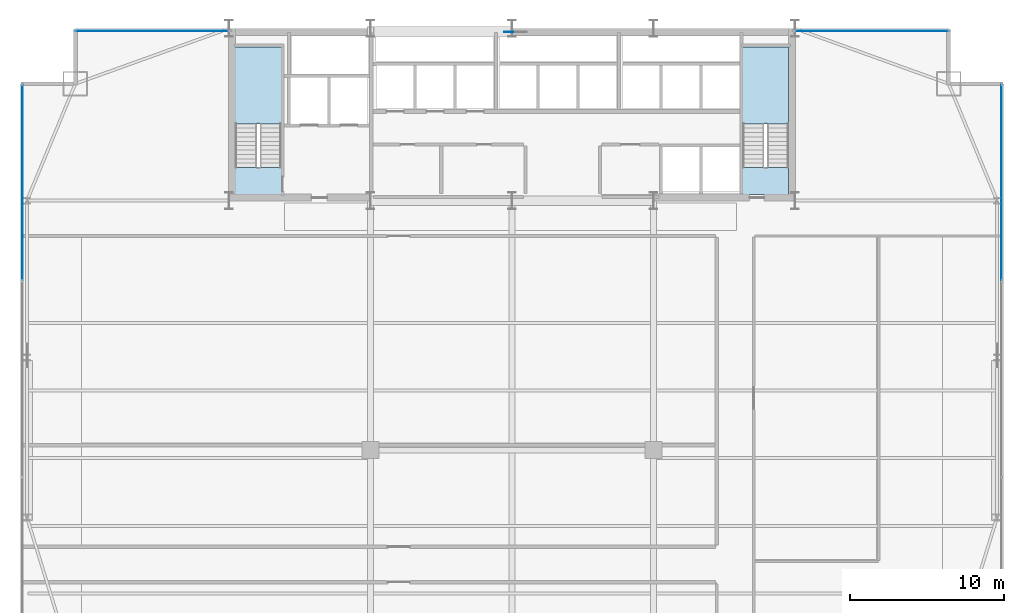
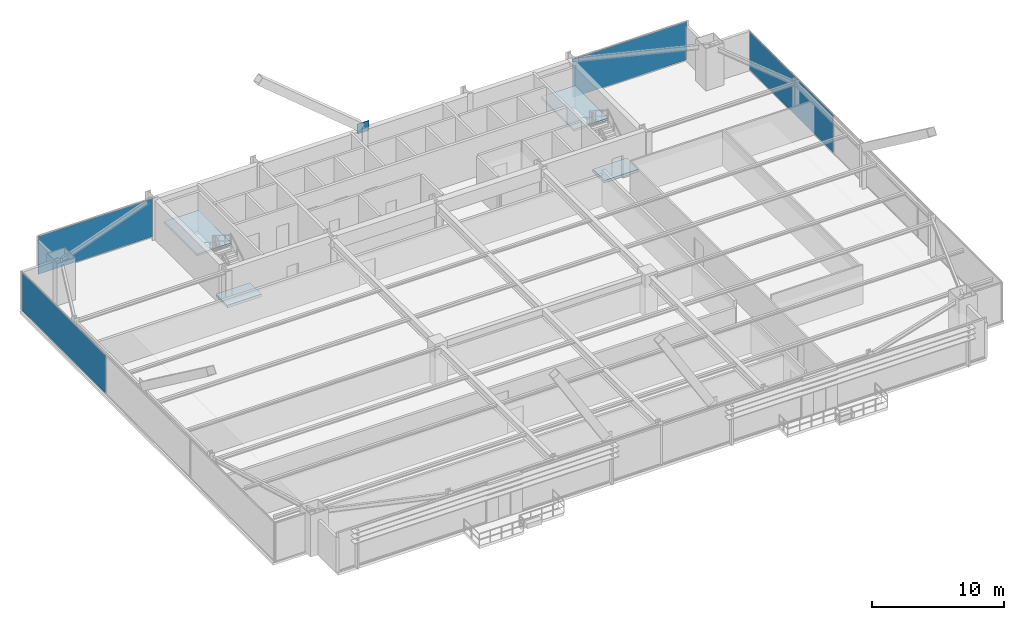
# One storey, part 27 of 34: 5 plates, 4 slabs, 6 elements without a shape of their own.
"""IFC4 building model written with IfcOpenShell, lengths in metres."""

from ifc_helpers import new_model, si_unit, direction, frame, origin, origin_2d, place, context, subcontext, project, spatial, polyline, rectangle, outline, extrude, source, transform, mapped, material, layer, layer_set, type_object, type_shapes, element, aggregate, save


model = new_model("IFC4")

# Units and contexts
model_context = context("Model", 3, precision=1e-05, world=origin(), true_north=direction((0.0, 1.0)))
body_context = subcontext(model_context, "Body", "Model", "MODEL_VIEW")
ifc_project = project(units=[si_unit("LENGTHUNIT", "METRE"), si_unit("AREAUNIT", "SQUARE_METRE"), si_unit("VOLUMEUNIT", "CUBIC_METRE"), si_unit("PLANEANGLEUNIT", "RADIAN"), si_unit("MASSUNIT", "GRAM", prefix="KILO")], contexts=[model_context])

# Site, building, storey
site_placement = place(None, origin())
site = spatial("IfcSite", under=ifc_project, at=site_placement, CompositionType="ELEMENT")
building_placement = place(site_placement, origin())
building = spatial("IfcBuilding", under=site, at=building_placement, Name="Varnel Quay Broadcast Tower", CompositionType="ELEMENT")
storey_placement = place(building_placement, frame((0.0, 0.0, 47.10009765625)))
storey = spatial("IfcBuildingStorey", under=building, at=storey_placement, Name="L10", CompositionType="ELEMENT", Elevation=47.10009765625)

# Slabs
ifc_material_1 = material(Name="Concrete CSA A23.3 C50/60", Category="concrete")
ifc_layer_1 = layer(ifc_material_1, 0.25, Name="Concrete CSA A23.3 C50/60")
ifc_layer_set_1 = layer_set([ifc_layer_1], Name="Concrete CSA A23.3 C50/60")
slab_type_1 = type_object("IfcSlabType", Name="Slab_StairFloorLanding250", PredefinedType="FLOOR", material=ifc_layer_set_1)
slab_1_placement = place(storey_placement, frame((0.0, 0.0, -0.25)))
element("IfcSlab", 1, at=slab_1_placement, inside=storey, type_object=slab_type_1, Name="L10 ST-01 Structural Floor Landing Slab", PredefinedType="FLOOR", context=body_context, shape_type="SweptSolid", body=[
    extrude(outline(polyline([(19.0, 36.0), (19.0, 37.75), (16.0, 37.75), (16.0, 36.0), (19.0, 36.0)])), origin(), (0.0, 0.0, 1.0), 0.25),
])
slab_2_placement = place(storey_placement, frame((0.0, 0.0, -0.25)))
element("IfcSlab", 2, at=slab_2_placement, inside=storey, type_object=slab_type_1, Name="L10 ST-02 Structural Floor Landing Slab", PredefinedType="FLOOR", context=body_context, shape_type="SweptSolid", body=[
    extrude(outline(polyline([(52.0, 36.0), (52.0, 37.75), (49.0, 37.75), (49.0, 36.0), (52.0, 36.0)])), origin(), (0.0, 0.0, 1.0), 0.25),
])

# Stair, slab
ifc_material_2 = material(Name="Precast Structural Concrete C40/50", Category="concrete")
stair_type_1 = type_object("IfcStairType", Name="Stair_ST-01", PredefinedType="HALF_TURN_STAIR", material=ifc_material_2)
stair_1_placement = place(storey_placement, origin())
stair_1 = element("IfcStair", 3, at=stair_1_placement, inside=storey, type_object=stair_type_1, Name="L10 West Core Exit Stair 1", PredefinedType="HALF_TURN_STAIR")
ifc_layer_2 = layer(ifc_material_2, 0.199951171875, Name="Precast Structural Concrete C40/50")
ifc_layer_set_2 = layer_set([ifc_layer_2], Name="Precast Structural Concrete C40/50")
slab_type_2 = type_object("IfcSlabType", Name="Slab_StairLanding200", PredefinedType="LANDING", material=ifc_layer_set_2)
slab_3_placement = place(storey_placement, frame((0.0, 0.0, 1.75)))
slab_3 = element("IfcSlab", 4, at=slab_3_placement, type_object=slab_type_2, Name="ST-01 landing 1", PredefinedType="LANDING", context=body_context, shape_type="SweptSolid", body=[
    extrude(outline(polyline([(19.0, 40.60009765625), (19.0, 45.60009765625), (16.0, 45.60009765625), (16.0, 40.60009765625), (19.0, 40.60009765625)])), origin(), (0.0, 0.0, 1.0), 0.199951171875),
])
aggregate(stair_1, [slab_3])

stair_type_2 = type_object("IfcStairType", Name="Stair_ST-02", PredefinedType="HALF_TURN_STAIR", material=ifc_material_2)
stair_2_placement = place(storey_placement, origin())
stair_2 = element("IfcStair", 5, at=stair_2_placement, inside=storey, type_object=stair_type_2, Name="L10 East Core Exit Stair 2", PredefinedType="HALF_TURN_STAIR")
slab_4_placement = place(storey_placement, frame((0.0, 0.0, 1.75)))
slab_4 = element("IfcSlab", 6, at=slab_4_placement, type_object=slab_type_2, Name="ST-02 landing 1", PredefinedType="LANDING", context=body_context, shape_type="SweptSolid", body=[
    extrude(outline(polyline([(52.0, 40.60009765625), (52.0, 45.60009765625), (49.0, 45.60009765625), (49.0, 40.60009765625), (52.0, 40.60009765625)])), origin(), (0.0, 0.0, 1.0), 0.199951171875),
])
aggregate(stair_2, [slab_4])

# Plate
ifc_material_3 = material(Name="Structural Steel CSA G40.21 350WT", Category="steel")
ifc_layer_3 = layer(ifc_material_3, 0.0400390625, Name="Structural Steel CSA G40.21 350WT")
ifc_layer_set_3 = layer_set([ifc_layer_3], Name="Structural Steel CSA G40.21 350WT")
plate_type_1 = type_object("IfcPlateType", Name="Plate_MegaGusset", PredefinedType="USERDEFINED", material=ifc_layer_set_3)
shared_shape_1 = source(origin(), body_context, "Body", "SweptSolid", [
    extrude(rectangle(XDim=1.02587890625, YDim=0.0400390625, at=origin_2d()), origin(), (0.0, 0.0, 1.0), 0.927001953125),
])
type_shapes(plate_type_1, [shared_shape_1])
plate_1_placement = place(storey_placement, frame((34.0, 46.580078125, 3.3115234375), z_axis=(0.0, 0.0, 1.0), x_axis=(1.0, 0.0, 0.0)))
element("IfcPlate", 7, at=plate_1_placement, inside=storey, type_object=plate_type_1, Name="Zone 1 Mega-Brace N-CT2 Central X-Crossing Gusset Plate", ObjectType="GUSSET_PLATE", PredefinedType="USERDEFINED", context=body_context, shape_type="MappedRepresentation", body=[
    mapped(shared_shape_1, transform((0.0, 0.0, 0.0), x_axis=(1.0, 0.0, 0.0), y_axis=(0.0, 1.0, 0.0), z_axis=(0.0, 0.0, 1.0), scale=1.0)),
])

# Curtain wall, plate
ifc_material_4 = material(Name="Anodised Bronze Aluminium 6063-T6", Category="aluminium")
ifc_layer_4 = layer(ifc_material_4, 0.18994140625, Name="Anodised Bronze Aluminium 6063-T6")
ifc_layer_set_4 = layer_set([ifc_layer_4], Name="Anodised Bronze Aluminium 6063-T6")
curtain_wall_type = type_object("IfcCurtainWallType", Name="CW_LowerTower", PredefinedType="NOTDEFINED", material=ifc_layer_set_4)
curtain_wall_1_placement = place(storey_placement, origin())
curtain_wall_1 = element("IfcCurtainWall", 8, at=curtain_wall_1_placement, inside=storey, type_object=curtain_wall_type, Name="L10 West Unitised Curtain Wall", PredefinedType="NOTDEFINED")
ifc_material_5 = material(Name="Insulated Bronze Spandrel Glass", Category="glass")
ifc_layer_5 = layer(ifc_material_5, 0.031982421875, Name="Insulated Bronze Spandrel Glass")
ifc_layer_set_5 = layer_set([ifc_layer_5], Name="Insulated Bronze Spandrel Glass")
plate_type_2 = type_object("IfcPlateType", Name="PanelSp_CWS-02", PredefinedType="CURTAIN_PANEL", material=ifc_layer_set_5)
shared_shape_2 = source(origin(), body_context, "Body", "SweptSolid", [
    extrude(rectangle(XDim=12.695068359375, YDim=0.031982421875, at=origin_2d()), origin(), (0.0, 0.0, 1.0), 3.530029296875),
])
type_shapes(plate_type_2, [shared_shape_2])
plate_2_placement = place(storey_placement, frame((2.14990234375, 36.782470703125, 0.06005859375), z_axis=(0.0, 0.0, 1.0), x_axis=(0.0, 1.0, 0.0)))
plate_2 = element("IfcPlate", 9, at=plate_2_placement, type_object=plate_type_2, Name="CWS-02 panel 3.1", PredefinedType="CURTAIN_PANEL", context=body_context, shape_type="MappedRepresentation", body=[
    mapped(shared_shape_2, transform((0.0, 0.0, 0.0), x_axis=(1.0, 0.0, 0.0), y_axis=(0.0, 1.0, 0.0), z_axis=(0.0, 0.0, 1.0), scale=1.0)),
])
aggregate(curtain_wall_1, [plate_2])

curtain_wall_2_placement = place(storey_placement, origin())
curtain_wall_2 = element("IfcCurtainWall", 10, at=curtain_wall_2_placement, inside=storey, type_object=curtain_wall_type, Name="L10 East Unitised Curtain Wall", PredefinedType="NOTDEFINED")
plate_3_placement = place(storey_placement, frame((65.85009765625, 36.782470703125, 0.06005859375), z_axis=(0.0, 0.0, 1.0), x_axis=(0.0, 1.0, 0.0)))
plate_3 = element("IfcPlate", 11, at=plate_3_placement, type_object=plate_type_2, Name="CWS-02 panel 3.1", PredefinedType="CURTAIN_PANEL", context=body_context, shape_type="MappedRepresentation", body=[
    mapped(shared_shape_2, transform((0.0, 0.0, 0.0), x_axis=(1.0, 0.0, 0.0), y_axis=(0.0, 1.0, 0.0), z_axis=(0.0, 0.0, 1.0), scale=1.0)),
])
aggregate(curtain_wall_2, [plate_3])

curtain_wall_3_placement = place(storey_placement, origin())
curtain_wall_3 = element("IfcCurtainWall", 12, at=curtain_wall_3_placement, inside=storey, type_object=curtain_wall_type, Name="L10 NW Wing Curtain Wall", PredefinedType="NOTDEFINED")
ifc_material_6 = material(Name="Triple-Glazed Bronze Low-E Architectural Glass", Category="glass")
ifc_layer_6 = layer(ifc_material_6, 0.031982421875, Name="Triple-Glazed Bronze Low-E Architectural Glass")
ifc_layer_set_6 = layer_set([ifc_layer_6], Name="Triple-Glazed Bronze Low-E Architectural Glass")
plate_type_3 = type_object("IfcPlateType", Name="Panel_CWS-02", PredefinedType="CURTAIN_PANEL", material=ifc_layer_set_6)
shared_shape_3 = source(origin(), body_context, "Body", "SweptSolid", [
    extrude(rectangle(XDim=10.0400390625, YDim=0.031982421875, at=origin_2d()), origin(), (0.0, 0.0, 1.0), 3.530029296875),
])
type_shapes(plate_type_3, [shared_shape_3])
plate_4_placement = place(storey_placement, frame((10.610107421875, 46.64990234375, 0.06005859375), z_axis=(0.0, 0.0, 1.0), x_axis=(1.0, 0.0, 0.0)))
plate_4 = element("IfcPlate", 13, at=plate_4_placement, type_object=plate_type_3, Name="CWS-02 panel 1.1", PredefinedType="CURTAIN_PANEL", context=body_context, shape_type="MappedRepresentation", body=[
    mapped(shared_shape_3, transform((0.0, 0.0, 0.0), x_axis=(1.0, 0.0, 0.0), y_axis=(0.0, 1.0, 0.0), z_axis=(0.0, 0.0, 1.0), scale=1.0)),
])
aggregate(curtain_wall_3, [plate_4])

curtain_wall_4_placement = place(storey_placement, origin())
curtain_wall_4 = element("IfcCurtainWall", 14, at=curtain_wall_4_placement, inside=storey, type_object=curtain_wall_type, Name="L10 NE Wing Curtain Wall", PredefinedType="NOTDEFINED")
plate_5_placement = place(storey_placement, frame((57.389892578125, 46.64990234375, 0.06005859375), z_axis=(0.0, 0.0, 1.0), x_axis=(1.0, 0.0, 0.0)))
plate_5 = element("IfcPlate", 15, at=plate_5_placement, type_object=plate_type_3, Name="CWS-02 panel 1.1", PredefinedType="CURTAIN_PANEL", context=body_context, shape_type="MappedRepresentation", body=[
    mapped(shared_shape_3, transform((0.0, 0.0, 0.0), x_axis=(1.0, 0.0, 0.0), y_axis=(0.0, 1.0, 0.0), z_axis=(0.0, 0.0, 1.0), scale=1.0)),
])
aggregate(curtain_wall_4, [plate_5])

save(model, "model.ifc")
